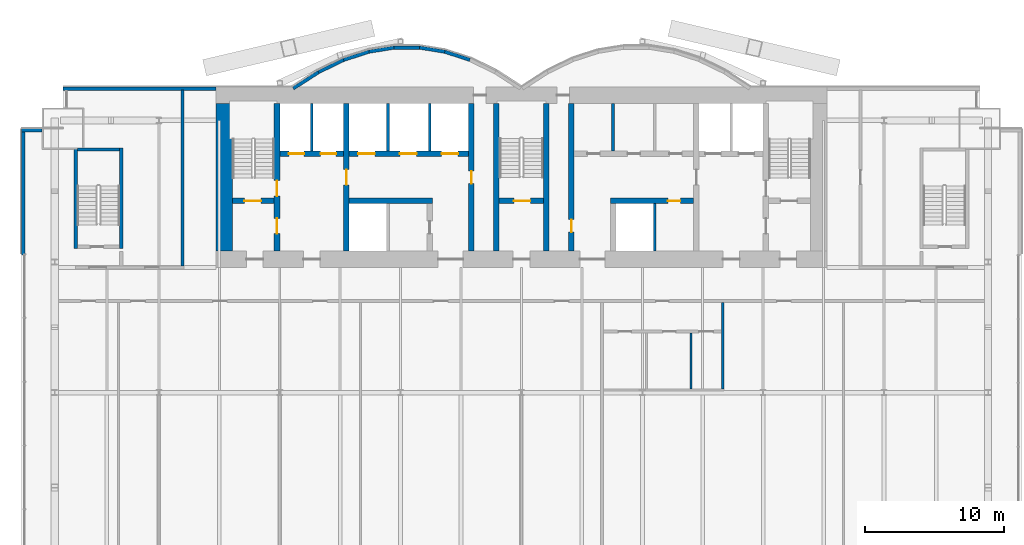
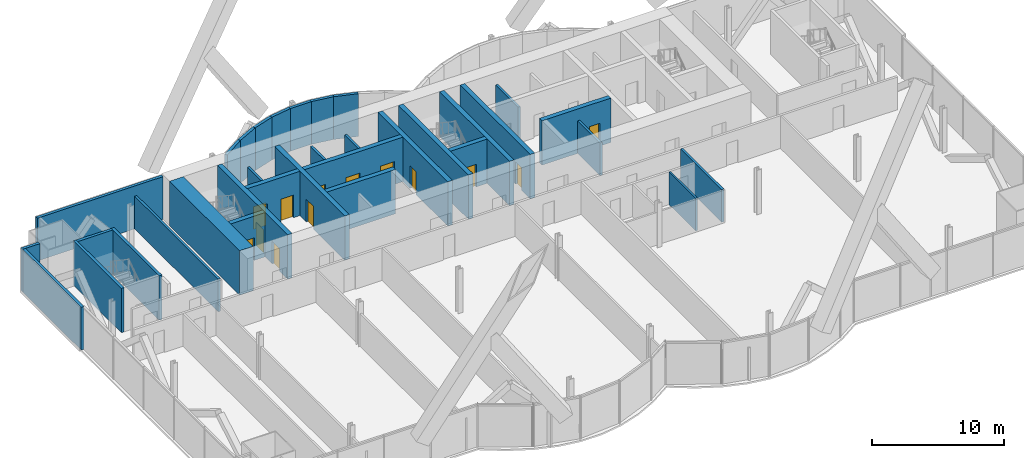
# One storey, part 17 of 22: 33 walls, 13 doors, 13 openings.
"""IFC4 building model written with IfcOpenShell, lengths in metres."""

from ifc_helpers import new_model, si_unit, direction, frame, frame_2d, origin, place, context, subcontext, project, spatial, rectangle, extrude, material, layer, layer_set, layer_usage, type_object, element, fill, save


model = new_model("IFC4")

# Units and contexts
model_context = context("Model", 3, precision=1e-05, world=origin(), true_north=direction((0.0, 1.0)))
body_context = subcontext(model_context, "Body", "Model", "MODEL_VIEW")
ifc_project = project(units=[si_unit("LENGTHUNIT", "METRE"), si_unit("AREAUNIT", "SQUARE_METRE"), si_unit("VOLUMEUNIT", "CUBIC_METRE"), si_unit("PLANEANGLEUNIT", "RADIAN"), si_unit("MASSUNIT", "GRAM", prefix="KILO")], contexts=[model_context])

# Site, building, storey
site_placement = place(None, origin())
site = spatial("IfcSite", under=ifc_project, at=site_placement, CompositionType="ELEMENT")
building_placement = place(site_placement, origin())
building = spatial("IfcBuilding", under=site, at=building_placement, Name="Bicima Exchange Tower", CompositionType="ELEMENT")
storey_placement = place(building_placement, frame((0.0, 0.0, 102.199951171875)))
storey = spatial("IfcBuildingStorey", under=building, at=storey_placement, Name="L21", CompositionType="ELEMENT", Elevation=102.199951171875)

# Walls
ifc_material_1 = material(Name="Gypsum board partition")
ifc_layer_1 = layer(ifc_material_1, 0.199951171875)
ifc_layer_set_1 = layer_set([ifc_layer_1], Name="Gypsum board partition")
wall_type_1 = type_object("IfcWallType", Name="Fire-rated gypsum partition 200 EI120", PredefinedType="PARTITIONING", material=ifc_layer_set_1)
for number, where, z_axis, x_axis, name in (
    (1, (-15.10009765625, -4.60009765625, 0.0), (0.0, 0.0, 1.0), (0.0, 1.0, 0.0), "partition wall 9"),
    (2, (-9.60009765625, -4.60009765625, 0.0), (0.0, 0.0, 1.0), (0.0, 1.0, 0.0), "partition wall 12"),
    (3, (-6.60009765625, -4.60009765625, 0.0), (0.0, 0.0, 1.0), (0.0, 1.0, 0.0), "partition wall 14"),
    (4, (9.60009765625, -11.800048828125, 0.0), (0.0, 0.0, 1.0), (0.0, 1.0, 0.0), "partition wall 21"),
):
    element("IfcWall", number, at=place(storey_placement, frame(where, z_axis=z_axis, x_axis=x_axis)), inside=storey, type_object=wall_type_1, Name=name, PredefinedType="PARTITIONING", context=body_context, shape_type="SweptSolid", body=[
        extrude(rectangle(XDim=3.400146484375, YDim=0.199951171875, at=frame_2d((1.7001953125, 0.0))), origin(), (0.0, 0.0, 1.0), 3.018310546875),
    ])
ifc_layer_2 = layer(ifc_material_1, 0.199951171875)
ifc_layer_set_2 = layer_set([ifc_layer_2], Name="Gypsum board partition")
wall_type_2 = type_object("IfcWallType", Name="Fire-rated gypsum partition 200 EI60", PredefinedType="PARTITIONING", material=ifc_layer_set_2)
wall_1_placement = place(storey_placement, frame((-24.39990234375, -12.89990234375, 0.0), z_axis=(0.0, 0.0, 1.0), x_axis=(0.0, 1.0, 0.0)))
element("IfcWall", 5, at=wall_1_placement, inside=storey, type_object=wall_type_2, Name="partition wall 16", PredefinedType="PARTITIONING", context=body_context, shape_type="SweptSolid", body=[
    extrude(rectangle(XDim=12.68994140625, YDim=0.199951171875, at=frame_2d((6.344970703125, 0.0))), origin(), (0.0, 0.0, 1.0), 3.018310546875),
])
wall_2_placement = place(storey_placement, frame((14.5, -21.72509765625, 0.0), z_axis=(0.0, 0.0, 1.0), x_axis=(0.0, 1.0, 0.0)))
element("IfcWall", 6, at=wall_2_placement, inside=storey, type_object=wall_type_2, Name="partition wall 25", PredefinedType="PARTITIONING", context=body_context, shape_type="SweptSolid", body=[
    extrude(rectangle(XDim=6.22509765625, YDim=0.199951171875, at=frame_2d((3.112548828125, 0.0))), origin(), (0.0, 0.0, 1.0), 3.018310546875),
])
wall_3_placement = place(storey_placement, frame((6.60009765625, -4.60009765625, 0.0), z_axis=(0.0, 0.0, 1.0), x_axis=(0.0, 1.0, 0.0)))
element("IfcWall", 7, at=wall_3_placement, inside=storey, type_object=wall_type_2, Name="partition wall 20", PredefinedType="PARTITIONING", context=body_context, shape_type="SweptSolid", body=[
    extrude(rectangle(XDim=3.400146484375, YDim=0.199951171875, at=frame_2d((1.7001953125, 0.0))), origin(), (0.0, 0.0, 1.0), 3.018310546875),
])
ifc_layer_3 = layer(ifc_material_1, 0.14990234375)
ifc_layer_set_3 = layer_set([ifc_layer_3], Name="Gypsum board partition")
wall_type_3 = type_object("IfcWallType", Name="Gypsum partition 150", PredefinedType="PARTITIONING", material=ifc_layer_set_3)
wall_4_placement = place(storey_placement, frame((12.199951171875, -21.72509765625, 0.0), z_axis=(0.0, 0.0, 1.0), x_axis=(0.0, 1.0, 0.0)))
element("IfcWall", 8, at=wall_4_placement, inside=storey, type_object=wall_type_3, Name="partition wall 24", PredefinedType="PARTITIONING", context=body_context, shape_type="SweptSolid", body=[
    extrude(rectangle(XDim=4.025146484375, YDim=0.14990234375, at=frame_2d((2.0126953125, 0.0))), origin(), (0.0, 0.0, 1.0), 3.018310546875),
])
ifc_material_2 = material(Name="Concrete C60/75", Category="concrete")
ifc_layer_4 = layer(ifc_material_2, 1.199951171875)
ifc_layer_set_4 = layer_set([ifc_layer_4], Name="Concrete C60/75")
wall_type_4 = type_object("IfcWallType", Name="RC core wall 1200 C60/75", PredefinedType="SHEAR", material=ifc_layer_set_4)
wall_5_placement = place(storey_placement, frame((-21.39990234375, -11.800048828125, 0.0), z_axis=(0.0, 0.0, 1.0), x_axis=(0.0, 1.0, 0.0)))
element("IfcWall", 9, at=wall_5_placement, inside=storey, type_object=wall_type_4, Name="Core wall west", PredefinedType="SHEAR", context=body_context, shape_type="SweptSolid", body=[
    extrude(rectangle(XDim=10.60009765625, YDim=1.199951171875, at=frame_2d((5.300048828125, 0.0))), origin(), (0.0, 0.0, 1.0), 4.10009765625),
])

# Wall, opening, door
ifc_material_3 = material(Name="Concrete C50/60", Category="concrete")
ifc_layer_5 = layer(ifc_material_3, 0.39990234375)
ifc_layer_set_5 = layer_set([ifc_layer_5], Name="Concrete C50/60")
wall_type_5 = type_object("IfcWallType", Name="RC core wall 400 C50/60", PredefinedType="SHEAR", material=ifc_layer_set_5)
wall_6_placement = place(storey_placement, frame((-20.800048828125, -8.199951171875, 0.0), z_axis=(0.0, 0.0, 1.0), x_axis=(1.0, 0.0, 0.0)))
wall_6 = element("IfcWall", 10, at=wall_6_placement, inside=storey, type_object=wall_type_5, Name="stair wall 1", PredefinedType="SHEAR", context=body_context, shape_type="SweptSolid", body=[
    extrude(rectangle(XDim=3.0, YDim=0.39990234375, at=frame_2d((1.5, 0.0))), origin(), (0.0, 0.0, 1.0), 4.10009765625),
])
opening_1_placement = place(wall_6_placement, frame((0.85009765625, 0.0, 0.0)))
opening_1 = element("IfcOpeningElement", 11, at=opening_1_placement, cuts=wall_6, Name="Opening L21-C01", PredefinedType="OPENING", context=body_context, shape_type="SweptSolid", body=[
    extrude(rectangle(XDim=1.199951171875, YDim=2.10009765625, at=frame_2d((0.60009765625, 1.050048828125))), frame((0.0, 0.2119140625, 0.0), z_axis=(0.0, -1.0, 0.0), x_axis=(1.0, 0.0, 0.0)), (0.0, 0.0, 1.0), 0.423828125),
])
ifc_material_4 = material(Name="Steel fire door leaf", Category="steel")
door_type_1 = type_object("IfcDoorType", Name="Door 1200 swing FD60S", OperationType="SINGLE_SWING_LEFT", PredefinedType="DOOR", material=ifc_material_4)
door_1_placement = place(opening_1_placement, origin())
door_1 = element("IfcDoor", 12, at=door_1_placement, inside=storey, type_object=door_type_1, Name="Core door", OperationType="SINGLE_SWING_LEFT", OverallHeight=2.10009765625, OverallWidth=1.199951171875, PredefinedType="DOOR", context=body_context, shape_type="SweptSolid", body=[
    extrude(rectangle(XDim=1.199951171875, YDim=2.10009765625, at=frame_2d((0.60009765625, 1.050048828125))), frame((0.0, 0.02490234375, 0.0), z_axis=(0.0, -1.0, 0.0), x_axis=(1.0, 0.0, 0.0)), (0.0, 0.0, 1.0), 0.050048828125),
])
fill(opening_1, door_1)

wall_7_placement = place(storey_placement, frame((-1.60009765625, -8.199951171875, 0.0), z_axis=(0.0, 0.0, 1.0), x_axis=(1.0, 0.0, 0.0)))
wall_7 = element("IfcWall", 13, at=wall_7_placement, inside=storey, type_object=wall_type_5, Name="stair wall 3", PredefinedType="SHEAR", context=body_context, shape_type="SweptSolid", body=[
    extrude(rectangle(XDim=3.2001953125, YDim=0.39990234375, at=frame_2d((1.60009765625, 0.0))), origin(), (0.0, 0.0, 1.0), 4.10009765625),
])
opening_2_placement = place(wall_7_placement, frame((1.050048828125, 0.0, 0.0)))
opening_2 = element("IfcOpeningElement", 14, at=opening_2_placement, cuts=wall_7, Name="Opening L21-C03", PredefinedType="OPENING", context=body_context, shape_type="SweptSolid", body=[
    extrude(rectangle(XDim=1.199951171875, YDim=2.10009765625, at=frame_2d((0.60009765625, 1.050048828125))), frame((0.0, 0.2119140625, 0.0), z_axis=(0.0, -1.0, 0.0), x_axis=(1.0, 0.0, 0.0)), (0.0, 0.0, 1.0), 0.423828125),
])
door_2_placement = place(opening_2_placement, origin())
door_2 = element("IfcDoor", 15, at=door_2_placement, inside=storey, type_object=door_type_1, Name="Core door", OperationType="SINGLE_SWING_LEFT", OverallHeight=2.10009765625, OverallWidth=1.199951171875, PredefinedType="DOOR", context=body_context, shape_type="SweptSolid", body=[
    extrude(rectangle(XDim=1.199951171875, YDim=2.10009765625, at=frame_2d((0.60009765625, 1.050048828125))), frame((0.0, 0.02490234375, 0.0), z_axis=(0.0, -1.0, 0.0), x_axis=(1.0, 0.0, 0.0)), (0.0, 0.0, 1.0), 0.050048828125),
])
fill(opening_2, door_2)

# Wall, openings, doors
wall_8_placement = place(storey_placement, frame((-17.60009765625, -11.800048828125, 0.0), z_axis=(0.0, 0.0, 1.0), x_axis=(0.0, 1.0, 0.0)))
wall_8 = element("IfcWall", 16, at=wall_8_placement, inside=storey, type_object=wall_type_5, Name="stair wall 8", PredefinedType="SHEAR", context=body_context, shape_type="SweptSolid", body=[
    extrude(rectangle(XDim=10.60009765625, YDim=0.39990234375, at=frame_2d((5.300048828125, 0.0))), origin(), (0.0, 0.0, 1.0), 4.10009765625),
])
opening_3_placement = place(wall_8_placement, frame((1.25, 0.0, 0.0)))
opening_3 = element("IfcOpeningElement", 17, at=opening_3_placement, cuts=wall_8, Name="Opening L21-C02", PredefinedType="OPENING", context=body_context, shape_type="SweptSolid", body=[
    extrude(rectangle(XDim=1.10009765625, YDim=2.10009765625, at=frame_2d((0.550048828125, 1.050048828125))), frame((0.0, 0.2119140625, 0.0), z_axis=(0.0, -1.0, 0.0), x_axis=(1.0, 0.0, 0.0)), (0.0, 0.0, 1.0), 0.423828125),
])
opening_4_placement = place(wall_8_placement, frame((3.949951171875, 0.0, 0.0)))
opening_4 = element("IfcOpeningElement", 18, at=opening_4_placement, cuts=wall_8, Name="Opening L21-C06", PredefinedType="OPENING", context=body_context, shape_type="SweptSolid", body=[
    extrude(rectangle(XDim=1.10009765625, YDim=2.10009765625, at=frame_2d((0.550048828125, 1.050048828125))), frame((0.0, 0.2119140625, 0.0), z_axis=(0.0, -1.0, 0.0), x_axis=(1.0, 0.0, 0.0)), (0.0, 0.0, 1.0), 0.423828125),
])
door_type_2 = type_object("IfcDoorType", Name="Door 1100 swing FD60S", OperationType="SINGLE_SWING_LEFT", PredefinedType="DOOR", material=ifc_material_4)
door_3_placement = place(opening_3_placement, frame((1.10009765625, 0.0, 0.0), z_axis=(0.0, 0.0, 1.0), x_axis=(-1.0, 0.0, 0.0)))
door_3 = element("IfcDoor", 19, at=door_3_placement, inside=storey, type_object=door_type_2, Name="Core door", OperationType="SINGLE_SWING_LEFT", OverallHeight=2.10009765625, OverallWidth=1.10009765625, PredefinedType="DOOR", context=body_context, shape_type="SweptSolid", body=[
    extrude(rectangle(XDim=1.10009765625, YDim=2.10009765625, at=frame_2d((0.550048828125, 1.050048828125))), frame((0.0, 0.02490234375, 0.0), z_axis=(0.0, -1.0, 0.0), x_axis=(1.0, 0.0, 0.0)), (0.0, 0.0, 1.0), 0.050048828125),
])
fill(opening_3, door_3)
door_4_placement = place(opening_4_placement, frame((1.10009765625, 0.0, 0.0), z_axis=(0.0, 0.0, 1.0), x_axis=(-1.0, 0.0, 0.0)))
door_4 = element("IfcDoor", 20, at=door_4_placement, inside=storey, type_object=door_type_2, Name="Core door", OperationType="SINGLE_SWING_LEFT", OverallHeight=2.10009765625, OverallWidth=1.10009765625, PredefinedType="DOOR", context=body_context, shape_type="SweptSolid", body=[
    extrude(rectangle(XDim=1.10009765625, YDim=2.10009765625, at=frame_2d((0.550048828125, 1.050048828125))), frame((0.0, 0.02490234375, 0.0), z_axis=(0.0, -1.0, 0.0), x_axis=(1.0, 0.0, 0.0)), (0.0, 0.0, 1.0), 0.050048828125),
])
fill(opening_4, door_4)

# Walls
for number, where, z_axis, x_axis, name in (
    (21, (-1.800048828125, -11.800048828125, 0.0), (0.0, 0.0, 1.0), (0.0, 1.0, 0.0), "stair wall 16"),
    (22, (1.800048828125, -11.800048828125, 0.0), (0.0, 0.0, 1.0), (0.0, 1.0, 0.0), "stair wall 17"),
):
    element("IfcWall", number, at=place(storey_placement, frame(where, z_axis=z_axis, x_axis=x_axis)), inside=storey, type_object=wall_type_5, Name=name, PredefinedType="SHEAR", context=body_context, shape_type="SweptSolid", body=[
        extrude(rectangle(XDim=10.60009765625, YDim=0.39990234375, at=frame_2d((5.300048828125, 0.0))), origin(), (0.0, 0.0, 1.0), 4.10009765625),
    ])
ifc_layer_6 = layer(ifc_material_2, 0.39990234375)
ifc_layer_set_6 = layer_set([ifc_layer_6], Name="Concrete C60/75")
wall_type_6 = type_object("IfcWallType", Name="RC core wall 400 C60/75", PredefinedType="SHEAR", material=ifc_layer_set_6)
wall_9_placement = place(storey_placement, frame((-12.39990234375, -8.199951171875, 0.0), z_axis=(0.0, 0.0, 1.0), x_axis=(1.0, 0.0, 0.0)))
element("IfcWall", 23, at=wall_9_placement, inside=storey, type_object=wall_type_6, Name="shear wall 2", PredefinedType="SHEAR", context=body_context, shape_type="SweptSolid", body=[
    extrude(rectangle(XDim=6.0, YDim=0.39990234375, at=frame_2d((3.0, 0.0))), origin(), (0.0, 0.0, 1.0), 4.10009765625),
])

# Wall, opening, door
wall_10_placement = place(storey_placement, frame((6.39990234375, -8.199951171875, 0.0), z_axis=(0.0, 0.0, 1.0), x_axis=(1.0, 0.0, 0.0)))
wall_10 = element("IfcWall", 24, at=wall_10_placement, inside=storey, type_object=wall_type_6, Name="shear wall 4", PredefinedType="SHEAR", context=body_context, shape_type="SweptSolid", body=[
    extrude(rectangle(XDim=6.0, YDim=0.39990234375, at=frame_2d((3.0, 0.0))), origin(), (0.0, 0.0, 1.0), 4.10009765625),
])
opening_5_placement = place(wall_10_placement, frame((4.14990234375, 0.0, 0.0)))
opening_5 = element("IfcOpeningElement", 25, at=opening_5_placement, cuts=wall_10, Name="Opening L21-C16", PredefinedType="OPENING", context=body_context, shape_type="SweptSolid", body=[
    extrude(rectangle(XDim=0.89990234375, YDim=2.10009765625, at=frame_2d((0.449951171875, 1.050048828125))), frame((0.0, 0.2119140625, 0.0), z_axis=(0.0, -1.0, 0.0), x_axis=(1.0, 0.0, 0.0)), (0.0, 0.0, 1.0), 0.423828125),
])
door_type_3 = type_object("IfcDoorType", Name="Door 900 swing FD30S", OperationType="SINGLE_SWING_LEFT", PredefinedType="DOOR", material=ifc_material_4)
door_5_placement = place(opening_5_placement, frame((0.89990234375, 0.0, 0.0), z_axis=(0.0, 0.0, 1.0), x_axis=(-1.0, 0.0, 0.0)))
door_5 = element("IfcDoor", 26, at=door_5_placement, inside=storey, type_object=door_type_3, Name="Core door", OperationType="SINGLE_SWING_LEFT", OverallHeight=2.10009765625, OverallWidth=0.89990234375, PredefinedType="DOOR", context=body_context, shape_type="SweptSolid", body=[
    extrude(rectangle(XDim=0.89990234375, YDim=2.10009765625, at=frame_2d((0.449951171875, 1.050048828125))), frame((0.0, 0.02490234375, 0.0), z_axis=(0.0, -1.0, 0.0), x_axis=(1.0, 0.0, 0.0)), (0.0, 0.0, 1.0), 0.050048828125),
])
fill(opening_5, door_5)

# Wall, openings, doors
wall_11_placement = place(storey_placement, frame((-17.39990234375, -4.800048828125, 0.0), z_axis=(0.0, 0.0, 1.0), x_axis=(1.0, 0.0, 0.0)))
wall_11 = element("IfcWall", 27, at=wall_11_placement, inside=storey, type_object=wall_type_6, Name="shear wall 6", PredefinedType="SHEAR", context=body_context, shape_type="SweptSolid", body=[
    extrude(rectangle(XDim=13.599853515625, YDim=0.39990234375, at=frame_2d((6.7998046875, 0.0))), origin(), (0.0, 0.0, 1.0), 4.10009765625),
])
opening_6_placement = place(wall_11_placement, frame((0.64990234375, 0.0, 0.0)))
opening_6 = element("IfcOpeningElement", 28, at=opening_6_placement, cuts=wall_11, Name="Opening LD-FF1-L21", PredefinedType="OPENING", context=body_context, shape_type="SweptSolid", body=[
    extrude(rectangle(XDim=1.10009765625, YDim=2.10009765625, at=frame_2d((0.550048828125, 1.050048828125))), frame((0.0, 0.2119140625, 0.0), z_axis=(0.0, -1.0, 0.0), x_axis=(1.0, 0.0, 0.0)), (0.0, 0.0, 1.0), 0.423828125),
])
opening_7_placement = place(wall_11_placement, frame((2.949951171875, 0.0, 0.0)))
opening_7 = element("IfcOpeningElement", 29, at=opening_7_placement, cuts=wall_11, Name="Opening LD-FF3-L21", PredefinedType="OPENING", context=body_context, shape_type="SweptSolid", body=[
    extrude(rectangle(XDim=1.10009765625, YDim=2.10009765625, at=frame_2d((0.550048828125, 1.050048828125))), frame((0.0, 0.2119140625, 0.0), z_axis=(0.0, -1.0, 0.0), x_axis=(1.0, 0.0, 0.0)), (0.0, 0.0, 1.0), 0.423828125),
])
opening_8_placement = place(wall_11_placement, frame((5.64990234375, 0.0, 0.0)))
opening_8 = element("IfcOpeningElement", 30, at=opening_8_placement, cuts=wall_11, Name="Opening LD-LB1-L21", PredefinedType="OPENING", context=body_context, shape_type="SweptSolid", body=[
    extrude(rectangle(XDim=1.199951171875, YDim=2.10009765625, at=frame_2d((0.60009765625, 1.050048828125))), frame((0.0, 0.2119140625, 0.0), z_axis=(0.0, -1.0, 0.0), x_axis=(1.0, 0.0, 0.0)), (0.0, 0.0, 1.0), 0.423828125),
])
opening_9_placement = place(wall_11_placement, frame((8.64990234375, 0.0, 0.0)))
opening_9 = element("IfcOpeningElement", 31, at=opening_9_placement, cuts=wall_11, Name="Opening LD-LB2-L21", PredefinedType="OPENING", context=body_context, shape_type="SweptSolid", body=[
    extrude(rectangle(XDim=1.199951171875, YDim=2.10009765625, at=frame_2d((0.60009765625, 1.050048828125))), frame((0.0, 0.2119140625, 0.0), z_axis=(0.0, -1.0, 0.0), x_axis=(1.0, 0.0, 0.0)), (0.0, 0.0, 1.0), 0.423828125),
])
opening_10_placement = place(wall_11_placement, frame((11.64990234375, 0.0, 0.0)))
opening_10 = element("IfcOpeningElement", 32, at=opening_10_placement, cuts=wall_11, Name="Opening LD-LB3-L21", PredefinedType="OPENING", context=body_context, shape_type="SweptSolid", body=[
    extrude(rectangle(XDim=1.199951171875, YDim=2.10009765625, at=frame_2d((0.60009765625, 1.050048828125))), frame((0.0, 0.2119140625, 0.0), z_axis=(0.0, -1.0, 0.0), x_axis=(1.0, 0.0, 0.0)), (0.0, 0.0, 1.0), 0.423828125),
])
ifc_material_5 = material(Name="Stainless steel", Category="steel")
door_type_4 = type_object("IfcDoorType", Name="Lift landing door 1100 sliding", OperationType="DOUBLE_DOOR_SLIDING", PredefinedType="DOOR", material=ifc_material_5)
door_6_placement = place(opening_6_placement, origin())
door_6 = element("IfcDoor", 33, at=door_6_placement, inside=storey, type_object=door_type_4, Name="Lift landing door FF1", OperationType="DOUBLE_DOOR_SLIDING", OverallHeight=2.10009765625, OverallWidth=1.10009765625, PredefinedType="DOOR", context=body_context, shape_type="SweptSolid", body=[
    extrude(rectangle(XDim=1.10009765625, YDim=2.10009765625, at=frame_2d((0.550048828125, 1.050048828125))), frame((0.0, 0.02490234375, 0.0), z_axis=(0.0, -1.0, 0.0), x_axis=(1.0, 0.0, 0.0)), (0.0, 0.0, 1.0), 0.050048828125),
])
fill(opening_6, door_6)
door_7_placement = place(opening_7_placement, origin())
door_7 = element("IfcDoor", 34, at=door_7_placement, inside=storey, type_object=door_type_4, Name="Lift landing door FF3", OperationType="DOUBLE_DOOR_SLIDING", OverallHeight=2.10009765625, OverallWidth=1.10009765625, PredefinedType="DOOR", context=body_context, shape_type="SweptSolid", body=[
    extrude(rectangle(XDim=1.10009765625, YDim=2.10009765625, at=frame_2d((0.550048828125, 1.050048828125))), frame((0.0, 0.02490234375, 0.0), z_axis=(0.0, -1.0, 0.0), x_axis=(1.0, 0.0, 0.0)), (0.0, 0.0, 1.0), 0.050048828125),
])
fill(opening_7, door_7)
door_type_5 = type_object("IfcDoorType", Name="Lift landing door 1200 sliding", OperationType="DOUBLE_DOOR_SLIDING", PredefinedType="DOOR", material=ifc_material_5)
door_8_placement = place(opening_8_placement, origin())
door_8 = element("IfcDoor", 35, at=door_8_placement, inside=storey, type_object=door_type_5, Name="Lift landing door LB1", OperationType="DOUBLE_DOOR_SLIDING", OverallHeight=2.10009765625, OverallWidth=1.199951171875, PredefinedType="DOOR", context=body_context, shape_type="SweptSolid", body=[
    extrude(rectangle(XDim=1.199951171875, YDim=2.10009765625, at=frame_2d((0.60009765625, 1.050048828125))), frame((0.0, 0.02490234375, 0.0), z_axis=(0.0, -1.0, 0.0), x_axis=(1.0, 0.0, 0.0)), (0.0, 0.0, 1.0), 0.050048828125),
])
fill(opening_8, door_8)
door_9_placement = place(opening_9_placement, origin())
door_9 = element("IfcDoor", 36, at=door_9_placement, inside=storey, type_object=door_type_5, Name="Lift landing door LB2", OperationType="DOUBLE_DOOR_SLIDING", OverallHeight=2.10009765625, OverallWidth=1.199951171875, PredefinedType="DOOR", context=body_context, shape_type="SweptSolid", body=[
    extrude(rectangle(XDim=1.199951171875, YDim=2.10009765625, at=frame_2d((0.60009765625, 1.050048828125))), frame((0.0, 0.02490234375, 0.0), z_axis=(0.0, -1.0, 0.0), x_axis=(1.0, 0.0, 0.0)), (0.0, 0.0, 1.0), 0.050048828125),
])
fill(opening_9, door_9)
door_10_placement = place(opening_10_placement, origin())
door_10 = element("IfcDoor", 37, at=door_10_placement, inside=storey, type_object=door_type_5, Name="Lift landing door LB3", OperationType="DOUBLE_DOOR_SLIDING", OverallHeight=2.10009765625, OverallWidth=1.199951171875, PredefinedType="DOOR", context=body_context, shape_type="SweptSolid", body=[
    extrude(rectangle(XDim=1.199951171875, YDim=2.10009765625, at=frame_2d((0.60009765625, 1.050048828125))), frame((0.0, 0.02490234375, 0.0), z_axis=(0.0, -1.0, 0.0), x_axis=(1.0, 0.0, 0.0)), (0.0, 0.0, 1.0), 0.050048828125),
])
fill(opening_10, door_10)

# Wall, opening, door
wall_12_placement = place(storey_placement, frame((-12.60009765625, -11.800048828125, 0.0), z_axis=(0.0, 0.0, 1.0), x_axis=(0.0, 1.0, 0.0)))
wall_12 = element("IfcWall", 38, at=wall_12_placement, inside=storey, type_object=wall_type_6, Name="shear wall 10", PredefinedType="SHEAR", context=body_context, shape_type="SweptSolid", body=[
    extrude(rectangle(XDim=10.60009765625, YDim=0.39990234375, at=frame_2d((5.300048828125, 0.0))), origin(), (0.0, 0.0, 1.0), 4.10009765625),
])
opening_11_placement = place(wall_12_placement, frame((4.75, 0.0, 0.0)))
opening_11 = element("IfcOpeningElement", 39, at=opening_11_placement, cuts=wall_12, Name="Opening L21-C07", PredefinedType="OPENING", context=body_context, shape_type="SweptSolid", body=[
    extrude(rectangle(XDim=1.10009765625, YDim=2.10009765625, at=frame_2d((0.550048828125, 1.050048828125))), frame((0.0, 0.2119140625, 0.0), z_axis=(0.0, -1.0, 0.0), x_axis=(1.0, 0.0, 0.0)), (0.0, 0.0, 1.0), 0.423828125),
])
door_11_placement = place(opening_11_placement, origin())
door_11 = element("IfcDoor", 40, at=door_11_placement, inside=storey, type_object=door_type_2, Name="Core door", OperationType="SINGLE_SWING_LEFT", OverallHeight=2.10009765625, OverallWidth=1.10009765625, PredefinedType="DOOR", context=body_context, shape_type="SweptSolid", body=[
    extrude(rectangle(XDim=1.10009765625, YDim=2.10009765625, at=frame_2d((0.550048828125, 1.050048828125))), frame((0.0, 0.02490234375, 0.0), z_axis=(0.0, -1.0, 0.0), x_axis=(1.0, 0.0, 0.0)), (0.0, 0.0, 1.0), 0.050048828125),
])
fill(opening_11, door_11)

wall_13_placement = place(storey_placement, frame((-3.60009765625, -11.800048828125, 0.0), z_axis=(0.0, 0.0, 1.0), x_axis=(0.0, 1.0, 0.0)))
wall_13 = element("IfcWall", 41, at=wall_13_placement, inside=storey, type_object=wall_type_6, Name="shear wall 15", PredefinedType="SHEAR", context=body_context, shape_type="SweptSolid", body=[
    extrude(rectangle(XDim=10.60009765625, YDim=0.39990234375, at=frame_2d((5.300048828125, 0.0))), origin(), (0.0, 0.0, 1.0), 4.10009765625),
])
opening_12_placement = place(wall_13_placement, frame((4.85009765625, 0.0, 0.0)))
opening_12 = element("IfcOpeningElement", 42, at=opening_12_placement, cuts=wall_13, Name="Opening L21-C10", PredefinedType="OPENING", context=body_context, shape_type="SweptSolid", body=[
    extrude(rectangle(XDim=0.89990234375, YDim=2.10009765625, at=frame_2d((0.449951171875, 1.050048828125))), frame((0.0, 0.2119140625, 0.0), z_axis=(0.0, -1.0, 0.0), x_axis=(1.0, 0.0, 0.0)), (0.0, 0.0, 1.0), 0.423828125),
])
door_12_placement = place(opening_12_placement, frame((0.89990234375, 0.0, 0.0), z_axis=(0.0, 0.0, 1.0), x_axis=(-1.0, 0.0, 0.0)))
door_12 = element("IfcDoor", 43, at=door_12_placement, inside=storey, type_object=door_type_3, Name="Core door", OperationType="SINGLE_SWING_LEFT", OverallHeight=2.10009765625, OverallWidth=0.89990234375, PredefinedType="DOOR", context=body_context, shape_type="SweptSolid", body=[
    extrude(rectangle(XDim=0.89990234375, YDim=2.10009765625, at=frame_2d((0.449951171875, 1.050048828125))), frame((0.0, 0.02490234375, 0.0), z_axis=(0.0, -1.0, 0.0), x_axis=(1.0, 0.0, 0.0)), (0.0, 0.0, 1.0), 0.050048828125),
])
fill(opening_12, door_12)

wall_14_placement = place(storey_placement, frame((3.60009765625, -11.800048828125, 0.0), z_axis=(0.0, 0.0, 1.0), x_axis=(0.0, 1.0, 0.0)))
wall_14 = element("IfcWall", 44, at=wall_14_placement, inside=storey, type_object=wall_type_6, Name="shear wall 18", PredefinedType="SHEAR", context=body_context, shape_type="SweptSolid", body=[
    extrude(rectangle(XDim=10.60009765625, YDim=0.39990234375, at=frame_2d((5.300048828125, 0.0))), origin(), (0.0, 0.0, 1.0), 4.10009765625),
])
opening_13_placement = place(wall_14_placement, frame((1.35009765625, 0.0, 0.0)))
opening_13 = element("IfcOpeningElement", 45, at=opening_13_placement, cuts=wall_14, Name="Opening L21-C11", PredefinedType="OPENING", context=body_context, shape_type="SweptSolid", body=[
    extrude(rectangle(XDim=0.89990234375, YDim=2.10009765625, at=frame_2d((0.449951171875, 1.050048828125))), frame((0.0, 0.2119140625, 0.0), z_axis=(0.0, -1.0, 0.0), x_axis=(1.0, 0.0, 0.0)), (0.0, 0.0, 1.0), 0.423828125),
])
door_13_placement = place(opening_13_placement, origin())
door_13 = element("IfcDoor", 46, at=door_13_placement, inside=storey, type_object=door_type_3, Name="Core door", OperationType="SINGLE_SWING_LEFT", OverallHeight=2.10009765625, OverallWidth=0.89990234375, PredefinedType="DOOR", context=body_context, shape_type="SweptSolid", body=[
    extrude(rectangle(XDim=0.89990234375, YDim=2.10009765625, at=frame_2d((0.449951171875, 1.050048828125))), frame((0.0, 0.02490234375, 0.0), z_axis=(0.0, -1.0, 0.0), x_axis=(1.0, 0.0, 0.0)), (0.0, 0.0, 1.0), 0.050048828125),
])
fill(opening_13, door_13)

# Walls
ifc_layer_7 = layer(ifc_material_3, 0.25)
ifc_layer_set_7 = layer_set([ifc_layer_7], Name="Concrete C50/60")
wall_type_7 = type_object("IfcWallType", Name="RC stair enclosure wall 250 C50/60", PredefinedType="SHEAR", material=ifc_layer_set_7)
for number, where, z_axis, x_axis, name in (
    (47, (-32.10009765625, -11.625, 0.0), (0.0, 0.0, 1.0), (0.0, 1.0, 0.0), "West end exit stair wall W"),
    (48, (-28.800048828125, -11.625, 0.0), (0.0, 0.0, 1.0), (0.0, 1.0, 0.0), "West end exit stair wall E"),
):
    element("IfcWall", number, at=place(storey_placement, frame(where, z_axis=z_axis, x_axis=x_axis)), inside=storey, type_object=wall_type_7, Name=name, PredefinedType="SHEAR", context=body_context, shape_type="SweptSolid", body=[
        extrude(rectangle(XDim=7.25, YDim=0.25, at=frame_2d((3.625, 0.0))), origin(), (0.0, 0.0, 1.0), 4.10009765625),
    ])
wall_15_placement = place(storey_placement, frame((-31.97509765625, -4.5, 0.0), z_axis=(0.0, 0.0, 1.0), x_axis=(1.0, 0.0, 0.0)))
element("IfcWall", 49, at=wall_15_placement, inside=storey, type_object=wall_type_7, Name="West end exit stair wall N", PredefinedType="SHEAR", context=body_context, shape_type="SweptSolid", body=[
    extrude(rectangle(XDim=3.050048828125, YDim=0.25, at=frame_2d((1.52490234375, 0.0))), origin(), (0.0, 0.0, 1.0), 4.10009765625),
])
ifc_material_6 = material(Name="Concrete C40/50", Category="concrete")
ifc_layer_8 = layer(ifc_material_6, 0.25)
ifc_layer_set_8 = layer_set([ifc_layer_8], Name="Concrete C40/50")
ifc_layer_usage = layer_usage(ifc_layer_set_8, "AXIS2", "POSITIVE", -0.125)
wall_type_8 = type_object("IfcWallType", Name="Rear backup wall 250", PredefinedType="STANDARD", material=ifc_layer_set_8)
wall_16_placement = place(storey_placement, frame((-3.705078125, 1.955078125, 0.0), z_axis=(0.0, 0.0, 1.0), x_axis=(-0.951495806175, 0.307661714928, 0.0)))
element("IfcWall", 50, at=wall_16_placement, inside=storey, type_object=wall_type_8, material=ifc_layer_usage, Name="Rear backup wall L21 13", PredefinedType="STANDARD", context=body_context, shape_type="SweptSolid", body=[
    extrude(rectangle(XDim=1.9267578125, YDim=0.25, at=frame_2d((0.96337890625, 0.0))), origin(), (0.0, 0.0, 1.0), 3.949951171875),
])
wall_17_placement = place(storey_placement, frame((-5.52001953125, 2.543212890625, 0.0), z_axis=(0.0, 0.0, 1.0), x_axis=(-0.987181718931, 0.159600293885, 0.0)))
element("IfcWall", 51, at=wall_17_placement, inside=storey, type_object=wall_type_8, material=ifc_layer_usage, Name="Rear backup wall L21 14", PredefinedType="STANDARD", context=body_context, shape_type="SweptSolid", body=[
    extrude(rectangle(XDim=1.857177734375, YDim=0.25, at=frame_2d((0.9287109375, 0.0))), origin(), (0.0, 0.0, 1.0), 3.949951171875),
])
wall_18_placement = place(storey_placement, frame((-7.333251953125, 2.837890625, 0.0), z_axis=(0.0, 0.0, 1.0), x_axis=(-1.0, 0.0, 0.0)))
element("IfcWall", 52, at=wall_18_placement, inside=storey, type_object=wall_type_8, material=ifc_layer_usage, Name="Rear backup wall L21 15", PredefinedType="STANDARD", context=body_context, shape_type="SweptSolid", body=[
    extrude(rectangle(XDim=1.83349609375, YDim=0.25, at=frame_2d((0.916748046875, 0.0))), origin(), (0.0, 0.0, 1.0), 3.949951171875),
])
wall_19_placement = place(storey_placement, frame((-9.146728515625, 2.839599609375, 0.0), z_axis=(0.0, 0.0, 1.0), x_axis=(-0.987181718931, -0.159600293885, 0.0)))
element("IfcWall", 53, at=wall_19_placement, inside=storey, type_object=wall_type_8, material=ifc_layer_usage, Name="Rear backup wall L21 16", PredefinedType="STANDARD", context=body_context, shape_type="SweptSolid", body=[
    extrude(rectangle(XDim=1.857177734375, YDim=0.25, at=frame_2d((0.9287109375, 0.0))), origin(), (0.0, 0.0, 1.0), 3.949951171875),
])
wall_20_placement = place(storey_placement, frame((-10.961669921875, 2.5478515625, 0.0), z_axis=(0.0, 0.0, 1.0), x_axis=(-0.951495806175, -0.307661714928, 0.0)))
element("IfcWall", 54, at=wall_20_placement, inside=storey, type_object=wall_type_8, material=ifc_layer_usage, Name="Rear backup wall L21 17", PredefinedType="STANDARD", context=body_context, shape_type="SweptSolid", body=[
    extrude(rectangle(XDim=1.9267578125, YDim=0.25, at=frame_2d((0.96337890625, 0.0))), origin(), (0.0, 0.0, 1.0), 3.949951171875),
])
wall_21_placement = place(storey_placement, frame((-12.77880859375, 1.961669921875, 0.0), z_axis=(0.0, 0.0, 1.0), x_axis=(-0.89982408427, -0.436252928206, 0.0)))
element("IfcWall", 55, at=wall_21_placement, inside=storey, type_object=wall_type_8, material=ifc_layer_usage, Name="Rear backup wall L21 18", PredefinedType="STANDARD", context=body_context, shape_type="SweptSolid", body=[
    extrude(rectangle(XDim=2.03759765625, YDim=0.25, at=frame_2d((1.018798828125, 0.0))), origin(), (0.0, 0.0, 1.0), 3.949951171875),
])
wall_22_placement = place(storey_placement, frame((-14.598876953125, 1.080078125, 0.0), z_axis=(0.0, 0.0, 1.0), x_axis=(-0.83981312244, -0.542875602121, 0.0)))
element("IfcWall", 56, at=wall_22_placement, inside=storey, type_object=wall_type_8, material=ifc_layer_usage, Name="Rear backup wall L21 19", PredefinedType="STANDARD", context=body_context, shape_type="SweptSolid", body=[
    extrude(rectangle(XDim=2.182861328125, YDim=0.25, at=frame_2d((1.09130859375, 0.0))), origin(), (0.0, 0.0, 1.0), 3.949951171875),
])
wall_23_placement = place(storey_placement, frame((-22.0, -0.125, 0.0), z_axis=(0.0, 0.0, 1.0), x_axis=(-1.0, 0.0, 0.0)))
element("IfcWall", 57, at=wall_23_placement, inside=storey, type_object=wall_type_8, material=ifc_layer_usage, Name="Rear backup wall L21 20", PredefinedType="STANDARD", context=body_context, shape_type="SweptSolid", body=[
    extrude(rectangle(XDim=11.0, YDim=0.25, at=frame_2d((5.5, 0.0))), origin(), (0.0, 0.0, 1.0), 3.949951171875),
])
wall_24_placement = place(storey_placement, frame((-34.5, -3.125, 0.0), z_axis=(0.0, 0.0, 1.0), x_axis=(-1.0, 0.0, 0.0)))
element("IfcWall", 58, at=wall_24_placement, inside=storey, type_object=wall_type_8, material=ifc_layer_usage, Name="Rear backup wall L21 22", PredefinedType="STANDARD", context=body_context, shape_type="SweptSolid", body=[
    extrude(rectangle(XDim=1.5, YDim=0.25, at=frame_2d((0.75, 0.0))), origin(), (0.0, 0.0, 1.0), 3.949951171875),
])
wall_25_placement = place(storey_placement, frame((-35.875, -3.0, 0.0), z_axis=(0.0, 0.0, 1.0), x_axis=(0.0, -1.0, 0.0)))
element("IfcWall", 59, at=wall_25_placement, inside=storey, type_object=wall_type_8, material=ifc_layer_usage, Name="Rear backup wall L21 23", PredefinedType="STANDARD", context=body_context, shape_type="SweptSolid", body=[
    extrude(rectangle(XDim=9.090087890625, YDim=0.25, at=frame_2d((4.544921875, 0.0))), origin(), (0.0, 0.0, 1.0), 3.949951171875),
])

save(model, "model.ifc")
